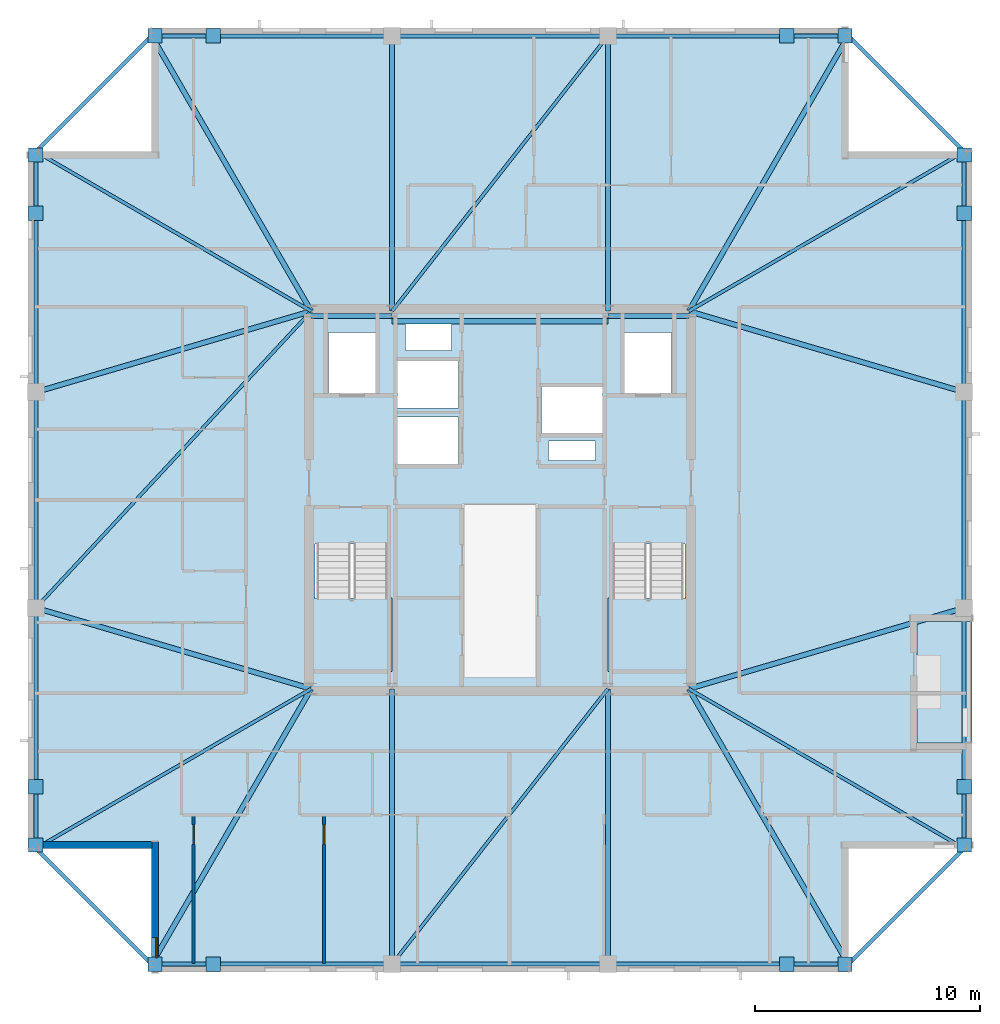
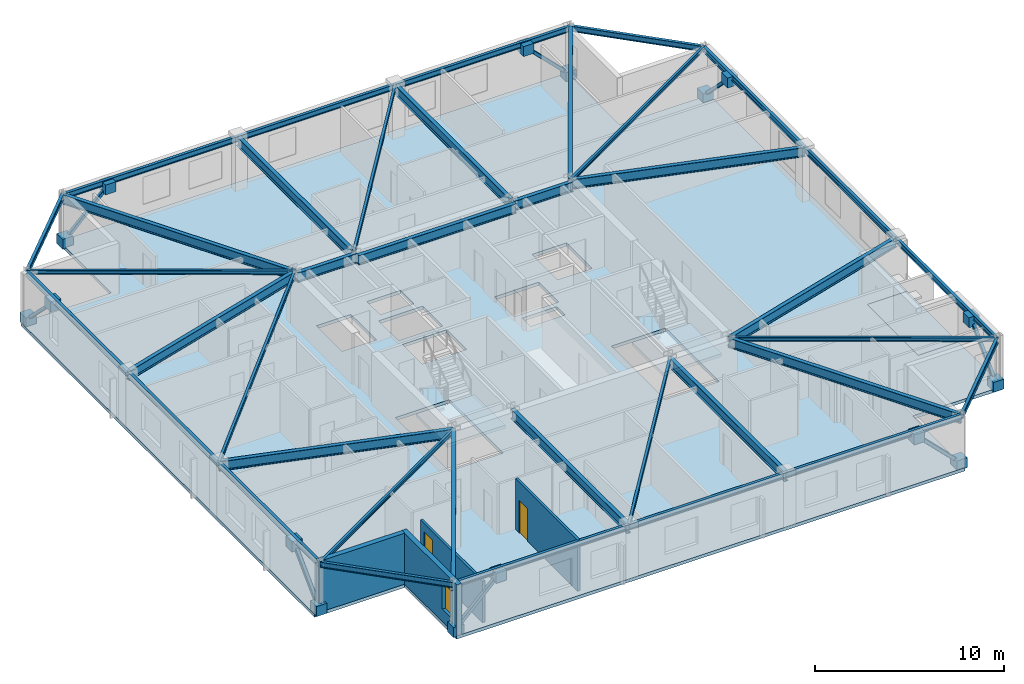
# One storey, part 6 of 15: 38 beams, 16 plates, 8 members, 4 slabs, 4 walls, 2 doors, 1 window, 3 openings, 2 elements without a shape of their own.
"""IFC4 building model written with IfcOpenShell, lengths in metres."""

from ifc_helpers import new_model, si_unit, direction, frame, frame_2d, origin, origin_2d, place, context, subcontext, project, spatial, polyline, rectangle, hollow_rectangle, i_section, outline, extrude, material, layer, layer_set, material_profile, profile_set, type_object, element, fill, aggregate, save


model = new_model("IFC4")

# Units and contexts
model_context = context("Model", 3, precision=1e-05, world=origin(), true_north=direction((0.0, 1.0)))
body_context = subcontext(model_context, "Body", "Model", "MODEL_VIEW")
ifc_project = project(units=[si_unit("LENGTHUNIT", "METRE"), si_unit("AREAUNIT", "SQUARE_METRE"), si_unit("VOLUMEUNIT", "CUBIC_METRE"), si_unit("PLANEANGLEUNIT", "RADIAN"), si_unit("MASSUNIT", "GRAM", prefix="KILO")], contexts=[model_context])

# Site, building, storey
site_placement = place(None, origin())
site = spatial("IfcSite", under=ifc_project, at=site_placement, CompositionType="ELEMENT")
building_placement = place(site_placement, origin())
building = spatial("IfcBuilding", under=site, at=building_placement, Name="Cairnveth Concourse Tower", CompositionType="ELEMENT")
storey_placement = place(building_placement, frame((0.0, 0.0, 298.0)))
storey = spatial("IfcBuildingStorey", under=building, at=storey_placement, Name="L82", CompositionType="ELEMENT", Elevation=298.0)

# Beams
ifc_material_1 = material(Name="Steel Grade 350", Category="steel")
ifc_material_profile_1 = material_profile(ifc_material_1, i_section(OverallWidth=0.22802734375, OverallDepth=0.60693359375, WebThickness=0.01123046875, FlangeThickness=0.017333984375, FilletRadius=0.013916015625, at=origin_2d()), Name="610UB113")
ifc_profile_set_1 = profile_set([ifc_material_profile_1], Name="Steel Grade 350")
beam_type_1 = type_object("IfcBeamType", Name="CORE TIE BEAM 610UB113", PredefinedType="T_BEAM", material=ifc_profile_set_1)
for number, where, z_axis, x_axis, name in (
    (1, (43.60009765625, 47.179931640625, 2.986572265625), (1.0, 0.0, 0.0), (0.0, 1.0, 0.0), "Beam CT-N1 L82"),
    (2, (56.800048828125, 47.179931640625, 2.986572265625), (1.0, 0.0, 0.0), (0.0, 1.0, 0.0), "Beam CT-N3 L82"),
):
    element("IfcBeam", number, at=place(storey_placement, frame(where, z_axis=z_axis, x_axis=x_axis)), inside=storey, type_object=beam_type_1, Name=name, PredefinedType="T_BEAM", context=body_context, shape_type="SweptSolid", body=[
        extrude(i_section(OverallWidth=0.22802734375, OverallDepth=0.60693359375, WebThickness=0.01123046875, FlangeThickness=0.017333984375, FilletRadius=0.013916015625, at=origin_2d()), origin(), (0.0, 0.0, 1.0), 3.599853515625),
    ])
beam_1_placement = place(storey_placement, frame((47.199951171875, 46.949951171875, 2.986572265625), z_axis=(1.0, 0.0, 0.0), x_axis=(0.0, 1.0, 0.0)))
element("IfcBeam", 3, at=beam_1_placement, inside=storey, type_object=beam_type_1, Name="Beam CT-N2 L82", PredefinedType="T_BEAM", context=body_context, shape_type="SweptSolid", body=[
    extrude(i_section(OverallWidth=0.22802734375, OverallDepth=0.60693359375, WebThickness=0.01123046875, FlangeThickness=0.017333984375, FilletRadius=0.013916015625, at=origin_2d()), origin(), (0.0, 0.0, 1.0), 9.60009765625),
])
ifc_material_profile_2 = material_profile(ifc_material_1, i_section(OverallWidth=0.14599609375, OverallDepth=0.256103515625, WebThickness=0.00634765625, FlangeThickness=0.010986328125, FilletRadius=0.009033203125, at=origin_2d()), Name="250UB37.3")
ifc_profile_set_2 = profile_set([ifc_material_profile_2], Name="Steel Grade 350")
beam_type_2 = type_object("IfcBeamType", Name="ZONE 4 FLOOR JOIST 250UB37.3", PredefinedType="JOIST", material=ifc_profile_set_2)
for number, where, z_axis, x_axis, name in (
    (4, (31.35009765625, 23.5, 3.162109375), (0.86518141842, 0.501458984584, 0.0), (-0.501458984584, 0.86518141842, 0.0), "Beam FJ-CSW2 L82"),
    (5, (72.64990234375, 23.5, 3.162109375), (-0.86518141842, 0.501458984584, 0.0), (-0.501458984584, -0.86518141842, 0.0), "Beam FJ-CSE2 L82"),
    (6, (72.64990234375, 54.5, 3.162109375), (-0.86518141842, -0.501458984584, 0.0), (0.501458984584, -0.86518141842, 0.0), "Beam FJ-CNE2 L82"),
    (7, (31.35009765625, 54.5, 3.162109375), (0.86518141842, -0.501458984584, 0.0), (0.501458984584, 0.86518141842, 0.0), "Beam FJ-CNW2 L82"),
):
    element("IfcBeam", number, at=place(storey_placement, frame(where, z_axis=z_axis, x_axis=x_axis)), inside=storey, type_object=beam_type_2, Name=name, PredefinedType="JOIST", context=body_context, shape_type="SweptSolid", body=[
        extrude(i_section(OverallWidth=0.14599609375, OverallDepth=0.256103515625, WebThickness=0.00634765625, FlangeThickness=0.010986328125, FilletRadius=0.009033203125, at=origin_2d()), origin(), (0.0, 0.0, 1.0), 14.158935546875),
    ])
for number, where, z_axis, x_axis, name in (
    (8, (47.199951171875, 18.35009765625, 3.162109375), (0.616831762718, 0.787095023807, 0.0), (-0.787095023807, 0.616831762718, 0.0), "Beam FJ-S-M1 L82"),
    (9, (47.199951171875, 47.39990234375, 3.162109375), (0.616831762718, 0.787095023807, 0.0), (-0.787095023807, 0.616831762718, 0.0), "Beam FJ-N-M1 L82"),
):
    element("IfcBeam", number, at=place(storey_placement, frame(where, z_axis=z_axis, x_axis=x_axis)), inside=storey, type_object=beam_type_2, Name=name, PredefinedType="JOIST", context=body_context, shape_type="SweptSolid", body=[
        extrude(i_section(OverallWidth=0.14599609375, OverallDepth=0.256103515625, WebThickness=0.00634765625, FlangeThickness=0.010986328125, FilletRadius=0.009033203125, at=origin_2d()), origin(), (0.0, 0.0, 1.0), 15.5634765625),
    ])
beam_2_placement = place(storey_placement, frame((31.35009765625, 34.199951171875, 3.162109375), z_axis=(0.680239432161, 0.732989982833, 0.0), x_axis=(-0.732989982833, 0.680239432161, 0.0)))
element("IfcBeam", 10, at=beam_2_placement, inside=storey, type_object=beam_type_2, Name="Beam FJ-W-M1 L82", PredefinedType="JOIST", context=body_context, shape_type="SweptSolid", body=[
    extrude(i_section(OverallWidth=0.14599609375, OverallDepth=0.256103515625, WebThickness=0.00634765625, FlangeThickness=0.010986328125, FilletRadius=0.009033203125, at=origin_2d()), origin(), (0.0, 0.0, 1.0), 18.00830078125),
])

# Members
ifc_material_2 = material(Name="Steel C350L0 (350 MPa)", Category="steel")
ifc_material_profile_3 = material_profile(ifc_material_2, hollow_rectangle(XDim=0.199951171875, YDim=0.199951171875, WallThickness=0.012451171875, InnerFilletRadius=0.012939453125, OuterFilletRadius=0.02490234375, at=origin_2d()), Name="200x200x12.5SHS")
ifc_profile_set_3 = profile_set([ifc_material_profile_3], Name="Steel C350L0 (350 MPa)")
member_type = type_object("IfcMemberType", Name="ZONE 4 PIER BRACE 200X200X12.5SHS", PredefinedType="BRACE", material=ifc_profile_set_3)
for number, where, z_axis, x_axis, name in (
    (11, (36.64990234375, 18.35009765625, 0.25), (0.708469186186, 0.0, 0.705741746126), (0.0, 1.0, 0.0), "Structural Brace PB-S1 L82"),
    (12, (67.35009765625, 18.35009765625, 0.25), (-0.708469186186, 0.0, 0.705741746126), (0.0, -1.0, 0.0), "Structural Brace PB-S2 L82"),
    (13, (36.64990234375, 59.64990234375, 0.25), (0.708469186186, 0.0, 0.705741746126), (0.0, 1.0, 0.0), "Structural Brace PB-N1 L82"),
    (14, (67.35009765625, 59.64990234375, 0.25), (-0.708469186186, 0.0, 0.705741746126), (0.0, -1.0, 0.0), "Structural Brace PB-N2 L82"),
    (15, (31.35009765625, 23.64990234375, 0.25), (0.0, 0.708469186186, 0.705741746126), (-1.0, 0.0, 0.0), "Structural Brace PB-W1 L82"),
    (16, (31.35009765625, 54.35009765625, 0.25), (0.0, -0.708469186186, 0.705741746126), (1.0, 0.0, 0.0), "Structural Brace PB-W2 L82"),
    (17, (72.64990234375, 23.64990234375, 0.25), (0.0, 0.708469186186, 0.705741746126), (-1.0, 0.0, 0.0), "Structural Brace PB-E1 L82"),
    (18, (72.64990234375, 54.35009765625, 0.25), (0.0, -0.708469186186, 0.705741746126), (1.0, 0.0, 0.0), "Structural Brace PB-E2 L82"),
):
    element("IfcMember", number, at=place(storey_placement, frame(where, z_axis=z_axis, x_axis=x_axis)), inside=storey, type_object=member_type, Name=name, PredefinedType="BRACE", context=body_context, shape_type="SweptSolid", body=[
        extrude(hollow_rectangle(XDim=0.199951171875, YDim=0.199951171875, WallThickness=0.012451171875, InnerFilletRadius=0.012939453125, OuterFilletRadius=0.02490234375, at=origin_2d()), origin(), (0.0, 0.0, 1.0), 3.669921875),
    ])

# Beams
ifc_material_profile_4 = material_profile(ifc_material_1, i_section(OverallWidth=0.22900390625, OverallDepth=0.612060546875, WebThickness=0.011962890625, FlangeThickness=0.01953125, FilletRadius=0.013916015625, at=origin_2d()), Name="610UB125")
ifc_profile_set_4 = profile_set([ifc_material_profile_4], Name="Steel Grade 350")
beam_type_3 = type_object("IfcBeamType", Name="ZONE 4 RADIAL GIRDER 610UB125", PredefinedType="BEAM", material=ifc_profile_set_4)
for number, where, z_axis, x_axis, name in (
    (19, (47.199951171875, 18.35009765625, 2.98388671875), (0.0, 1.0, 0.0), (-1.0, 0.0, 0.0), "Beam RG-S1 L82"),
    (20, (56.800048828125, 18.35009765625, 2.98388671875), (0.0, 1.0, 0.0), (-1.0, 0.0, 0.0), "Beam RG-S2 L82"),
    (21, (47.199951171875, 47.39990234375, 2.98388671875), (0.0, 1.0, 0.0), (-1.0, 0.0, 0.0), "Beam RG-N1 L82"),
    (22, (56.800048828125, 47.39990234375, 2.98388671875), (0.0, 1.0, 0.0), (-1.0, 0.0, 0.0), "Beam RG-N2 L82"),
):
    element("IfcBeam", number, at=place(storey_placement, frame(where, z_axis=z_axis, x_axis=x_axis)), inside=storey, type_object=beam_type_3, Name=name, PredefinedType="BEAM", context=body_context, shape_type="SweptSolid", body=[
        extrude(i_section(OverallWidth=0.22900390625, OverallDepth=0.612060546875, WebThickness=0.011962890625, FlangeThickness=0.01953125, FilletRadius=0.013916015625, at=origin_2d()), origin(), (0.0, 0.0, 1.0), 12.25),
    ])
for number, where, z_axis, x_axis, name in (
    (23, (31.35009765625, 34.199951171875, 2.98388671875), (0.959430938842, -0.281943741893, 0.0), (0.281943741893, 0.959430938842, 0.0), "Beam RG-W1 L82"),
    (24, (31.35009765625, 43.800048828125, 2.98388671875), (0.959430938842, 0.281943741893, 0.0), (-0.281943741893, 0.959430938842, 0.0), "Beam RG-W2 L82"),
    (25, (60.39990234375, 30.60009765625, 2.98388671875), (0.959430938842, 0.281943741893, 0.0), (-0.281943741893, 0.959430938842, 0.0), "Beam RG-E1 L82"),
    (26, (60.39990234375, 47.39990234375, 2.98388671875), (0.959430938842, -0.281943741893, 0.0), (0.281943741893, 0.959430938842, 0.0), "Beam RG-E2 L82"),
):
    element("IfcBeam", number, at=place(storey_placement, frame(where, z_axis=z_axis, x_axis=x_axis)), inside=storey, type_object=beam_type_3, Name=name, PredefinedType="BEAM", context=body_context, shape_type="SweptSolid", body=[
        extrude(i_section(OverallWidth=0.22900390625, OverallDepth=0.612060546875, WebThickness=0.011962890625, FlangeThickness=0.01953125, FilletRadius=0.013916015625, at=origin_2d()), origin(), (0.0, 0.0, 1.0), 12.76806640625),
    ])
for number, where, z_axis, x_axis, name in (
    (27, (36.5, 18.35009765625, 2.98388671875), (0.501458984584, 0.86518141842, 0.0), (-0.86518141842, 0.501458984584, 0.0), "Beam RG-CSW L82"),
    (28, (67.5, 18.35009765625, 2.98388671875), (-0.501458984584, 0.86518141842, 0.0), (-0.86518141842, -0.501458984584, 0.0), "Beam RG-CSE L82"),
    (29, (67.5, 59.64990234375, 2.98388671875), (-0.501458984584, -0.86518141842, 0.0), (0.86518141842, -0.501458984584, 0.0), "Beam RG-CNE L82"),
    (30, (36.5, 59.64990234375, 2.98388671875), (0.501458984584, -0.86518141842, 0.0), (0.86518141842, 0.501458984584, 0.0), "Beam RG-CNW L82"),
):
    element("IfcBeam", number, at=place(storey_placement, frame(where, z_axis=z_axis, x_axis=x_axis)), inside=storey, type_object=beam_type_3, Name=name, PredefinedType="BEAM", context=body_context, shape_type="SweptSolid", body=[
        extrude(i_section(OverallWidth=0.22900390625, OverallDepth=0.612060546875, WebThickness=0.011962890625, FlangeThickness=0.01953125, FilletRadius=0.013916015625, at=origin_2d()), origin(), (0.0, 0.0, 1.0), 14.158935546875),
    ])
ifc_material_profile_5 = material_profile(ifc_material_1, i_section(OverallWidth=0.172119140625, OverallDepth=0.35888671875, WebThickness=0.008056640625, FlangeThickness=0.012939453125, FilletRadius=0.010986328125, at=origin_2d()), Name="360UB56.7")
ifc_profile_set_5 = profile_set([ifc_material_profile_5], Name="Steel Grade 350")
beam_type_4 = type_object("IfcBeamType", Name="ZONE 4 SPANDREL BEAM 360UB56.7", PredefinedType="SPANDREL", material=ifc_profile_set_5)
beam_3_placement = place(storey_placement, frame((36.5, 18.35009765625, 3.110595703125), z_axis=(1.0, 0.0, 0.0), x_axis=(0.0, 1.0, 0.0)))
element("IfcBeam", 31, at=beam_3_placement, inside=storey, type_object=beam_type_4, Name="Beam SP-S1 L82", PredefinedType="SPANDREL", context=body_context, shape_type="SweptSolid", body=[
    extrude(i_section(OverallWidth=0.172119140625, OverallDepth=0.35888671875, WebThickness=0.008056640625, FlangeThickness=0.012939453125, FilletRadius=0.010986328125, at=origin_2d()), origin(), (0.0, 0.0, 1.0), 10.699951171875),
])
beam_4_placement = place(storey_placement, frame((47.199951171875, 18.35009765625, 3.110595703125), z_axis=(1.0, 0.0, 0.0), x_axis=(0.0, 1.0, 0.0)))
element("IfcBeam", 32, at=beam_4_placement, inside=storey, type_object=beam_type_4, Name="Beam SP-S2 L82", PredefinedType="SPANDREL", context=body_context, shape_type="SweptSolid", body=[
    extrude(i_section(OverallWidth=0.172119140625, OverallDepth=0.35888671875, WebThickness=0.008056640625, FlangeThickness=0.012939453125, FilletRadius=0.010986328125, at=origin_2d()), origin(), (0.0, 0.0, 1.0), 9.60009765625),
])
for number, where, z_axis, x_axis, name in (
    (33, (56.800048828125, 18.35009765625, 3.110595703125), (1.0, 0.0, 0.0), (0.0, 1.0, 0.0), "Beam SP-S3 L82"),
    (34, (36.5, 59.64990234375, 3.110595703125), (1.0, 0.0, 0.0), (0.0, 1.0, 0.0), "Beam SP-N1 L82"),
):
    element("IfcBeam", number, at=place(storey_placement, frame(where, z_axis=z_axis, x_axis=x_axis)), inside=storey, type_object=beam_type_4, Name=name, PredefinedType="SPANDREL", context=body_context, shape_type="SweptSolid", body=[
        extrude(i_section(OverallWidth=0.172119140625, OverallDepth=0.35888671875, WebThickness=0.008056640625, FlangeThickness=0.012939453125, FilletRadius=0.010986328125, at=origin_2d()), origin(), (0.0, 0.0, 1.0), 10.699951171875),
    ])
beam_5_placement = place(storey_placement, frame((47.199951171875, 59.64990234375, 3.110595703125), z_axis=(1.0, 0.0, 0.0), x_axis=(0.0, 1.0, 0.0)))
element("IfcBeam", 35, at=beam_5_placement, inside=storey, type_object=beam_type_4, Name="Beam SP-N2 L82", PredefinedType="SPANDREL", context=body_context, shape_type="SweptSolid", body=[
    extrude(i_section(OverallWidth=0.172119140625, OverallDepth=0.35888671875, WebThickness=0.008056640625, FlangeThickness=0.012939453125, FilletRadius=0.010986328125, at=origin_2d()), origin(), (0.0, 0.0, 1.0), 9.60009765625),
])
for number, where, z_axis, x_axis, name in (
    (36, (56.800048828125, 59.64990234375, 3.110595703125), (1.0, 0.0, 0.0), (0.0, 1.0, 0.0), "Beam SP-N3 L82"),
    (37, (31.35009765625, 23.5, 3.110595703125), (0.0, 1.0, 0.0), (-1.0, 0.0, 0.0), "Beam SP-W1 L82"),
):
    element("IfcBeam", number, at=place(storey_placement, frame(where, z_axis=z_axis, x_axis=x_axis)), inside=storey, type_object=beam_type_4, Name=name, PredefinedType="SPANDREL", context=body_context, shape_type="SweptSolid", body=[
        extrude(i_section(OverallWidth=0.172119140625, OverallDepth=0.35888671875, WebThickness=0.008056640625, FlangeThickness=0.012939453125, FilletRadius=0.010986328125, at=origin_2d()), origin(), (0.0, 0.0, 1.0), 10.699951171875),
    ])
beam_6_placement = place(storey_placement, frame((31.35009765625, 34.199951171875, 3.110595703125), z_axis=(0.0, 1.0, 0.0), x_axis=(-1.0, 0.0, 0.0)))
element("IfcBeam", 38, at=beam_6_placement, inside=storey, type_object=beam_type_4, Name="Beam SP-W2 L82", PredefinedType="SPANDREL", context=body_context, shape_type="SweptSolid", body=[
    extrude(i_section(OverallWidth=0.172119140625, OverallDepth=0.35888671875, WebThickness=0.008056640625, FlangeThickness=0.012939453125, FilletRadius=0.010986328125, at=origin_2d()), origin(), (0.0, 0.0, 1.0), 9.60009765625),
])
for number, where, z_axis, x_axis, name in (
    (39, (31.35009765625, 43.800048828125, 3.110595703125), (0.0, 1.0, 0.0), (-1.0, 0.0, 0.0), "Beam SP-W3 L82"),
    (40, (72.64990234375, 23.5, 3.110595703125), (0.0, 1.0, 0.0), (-1.0, 0.0, 0.0), "Beam SP-E1 L82"),
):
    element("IfcBeam", number, at=place(storey_placement, frame(where, z_axis=z_axis, x_axis=x_axis)), inside=storey, type_object=beam_type_4, Name=name, PredefinedType="SPANDREL", context=body_context, shape_type="SweptSolid", body=[
        extrude(i_section(OverallWidth=0.172119140625, OverallDepth=0.35888671875, WebThickness=0.008056640625, FlangeThickness=0.012939453125, FilletRadius=0.010986328125, at=origin_2d()), origin(), (0.0, 0.0, 1.0), 10.699951171875),
    ])
beam_7_placement = place(storey_placement, frame((72.64990234375, 34.199951171875, 3.110595703125), z_axis=(0.0, 1.0, 0.0), x_axis=(-1.0, 0.0, 0.0)))
element("IfcBeam", 41, at=beam_7_placement, inside=storey, type_object=beam_type_4, Name="Beam SP-E2 L82", PredefinedType="SPANDREL", context=body_context, shape_type="SweptSolid", body=[
    extrude(i_section(OverallWidth=0.172119140625, OverallDepth=0.35888671875, WebThickness=0.008056640625, FlangeThickness=0.012939453125, FilletRadius=0.010986328125, at=origin_2d()), origin(), (0.0, 0.0, 1.0), 9.60009765625),
])
beam_8_placement = place(storey_placement, frame((72.64990234375, 43.800048828125, 3.110595703125), z_axis=(0.0, 1.0, 0.0), x_axis=(-1.0, 0.0, 0.0)))
element("IfcBeam", 42, at=beam_8_placement, inside=storey, type_object=beam_type_4, Name="Beam SP-E3 L82", PredefinedType="SPANDREL", context=body_context, shape_type="SweptSolid", body=[
    extrude(i_section(OverallWidth=0.172119140625, OverallDepth=0.35888671875, WebThickness=0.008056640625, FlangeThickness=0.012939453125, FilletRadius=0.010986328125, at=origin_2d()), origin(), (0.0, 0.0, 1.0), 10.699951171875),
])
for number, where, z_axis, x_axis, name in (
    (43, (31.35009765625, 23.5, 3.110595703125), (0.707106781187, -0.707106781187, 0.0), (0.707106781187, 0.707106781187, 0.0), "Beam SP-SW L82"),
    (44, (67.5, 18.35009765625, 3.110595703125), (0.707106781187, 0.707106781187, 0.0), (-0.707106781187, 0.707106781187, 0.0), "Beam SP-SE L82"),
    (45, (67.5, 59.64990234375, 3.110595703125), (0.707106781187, -0.707106781187, 0.0), (0.707106781187, 0.707106781187, 0.0), "Beam SP-NE L82"),
    (46, (31.35009765625, 54.5, 3.110595703125), (0.707106781187, 0.707106781187, 0.0), (-0.707106781187, 0.707106781187, 0.0), "Beam SP-NW L82"),
):
    element("IfcBeam", number, at=place(storey_placement, frame(where, z_axis=z_axis, x_axis=x_axis)), inside=storey, type_object=beam_type_4, Name=name, PredefinedType="SPANDREL", context=body_context, shape_type="SweptSolid", body=[
        extrude(i_section(OverallWidth=0.172119140625, OverallDepth=0.35888671875, WebThickness=0.008056640625, FlangeThickness=0.012939453125, FilletRadius=0.010986328125, at=origin_2d()), origin(), (0.0, 0.0, 1.0), 7.282958984375),
    ])

# Plates
ifc_layer_1 = layer(ifc_material_1, 0.031982421875)
ifc_layer_set_1 = layer_set([ifc_layer_1], Name="Steel Grade 350")
plate_type = type_object("IfcPlateType", Name="PERIMETER BRACE GUSSET PLATE 32", PredefinedType="USERDEFINED", material=ifc_layer_set_1)
for number, where, z_axis, x_axis, name in (
    (47, (36.64990234375, 18.35009765625, -0.06982421875), (0.0, 0.0, 1.0), (1.0, 0.0, 0.0), "Structural Node Plate 1449 L82"),
    (48, (39.25, 18.35009765625, 2.52001953125), (0.0, 0.0, 1.0), (1.0, 0.0, 0.0), "Structural Node Plate 1450 L82"),
    (49, (67.35009765625, 18.35009765625, -0.06982421875), (0.0, 0.0, 1.0), (1.0, 0.0, 0.0), "Structural Node Plate 1451 L82"),
    (50, (64.75, 18.35009765625, 2.52001953125), (0.0, 0.0, 1.0), (1.0, 0.0, 0.0), "Structural Node Plate 1452 L82"),
    (51, (36.64990234375, 59.64990234375, -0.06982421875), (0.0, 0.0, 1.0), (1.0, 0.0, 0.0), "Structural Node Plate 1453 L82"),
    (52, (39.25, 59.64990234375, 2.52001953125), (0.0, 0.0, 1.0), (1.0, 0.0, 0.0), "Structural Node Plate 1454 L82"),
    (53, (67.35009765625, 59.64990234375, -0.06982421875), (0.0, 0.0, 1.0), (1.0, 0.0, 0.0), "Structural Node Plate 1455 L82"),
    (54, (64.75, 59.64990234375, 2.52001953125), (0.0, 0.0, 1.0), (1.0, 0.0, 0.0), "Structural Node Plate 1456 L82"),
    (55, (31.35009765625, 23.64990234375, -0.06982421875), (0.0, 0.0, 1.0), (1.0, 0.0, 0.0), "Structural Node Plate 1457 L82"),
    (56, (31.35009765625, 26.25, 2.52001953125), (0.0, 0.0, 1.0), (1.0, 0.0, 0.0), "Structural Node Plate 1458 L82"),
    (57, (31.35009765625, 54.35009765625, -0.06982421875), (0.0, 0.0, 1.0), (1.0, 0.0, 0.0), "Structural Node Plate 1459 L82"),
    (58, (31.35009765625, 51.75, 2.52001953125), (0.0, 0.0, 1.0), (1.0, 0.0, 0.0), "Structural Node Plate 1460 L82"),
    (59, (72.64990234375, 23.64990234375, -0.06982421875), (0.0, 0.0, 1.0), (1.0, 0.0, 0.0), "Structural Node Plate 1461 L82"),
    (60, (72.64990234375, 26.25, 2.52001953125), (0.0, 0.0, 1.0), (1.0, 0.0, 0.0), "Structural Node Plate 1462 L82"),
    (61, (72.64990234375, 54.35009765625, -0.06982421875), (0.0, 0.0, 1.0), (1.0, 0.0, 0.0), "Structural Node Plate 1463 L82"),
    (62, (72.64990234375, 51.75, 2.52001953125), (0.0, 0.0, 1.0), (1.0, 0.0, 0.0), "Structural Node Plate 1464 L82"),
):
    element("IfcPlate", number, at=place(storey_placement, frame(where, z_axis=z_axis, x_axis=x_axis)), inside=storey, type_object=plate_type, Name=name, ObjectType="GUSSET PLATE", PredefinedType="USERDEFINED", context=body_context, shape_type="SweptSolid", body=[
        extrude(rectangle(XDim=0.639892578125, YDim=0.639892578125, at=origin_2d()), origin(), (0.0, 0.0, 1.0), 0.639892578125),
    ])

# Slab
ifc_material_3 = material(Name="Concrete N50 (50 MPa)", Category="concrete")
ifc_layer_2 = layer(ifc_material_3, 0.18994140625)
ifc_layer_set_2 = layer_set([ifc_layer_2], Name="Concrete N50 (50 MPa)")
slab_type_1 = type_object("IfcSlabType", Name="SPIRAL OUTDOOR TERRACE SLAB 190", PredefinedType="FLOOR", material=ifc_layer_set_2)
slab_1_placement = place(storey_placement, frame((0.0, 0.0, -0.18994140625)))
element("IfcSlab", 63, at=slab_1_placement, inside=storey, type_object=slab_type_1, Name="Spiral Terrace Slab L82", PredefinedType="FLOOR", context=body_context, shape_type="SweptSolid", body=[
    extrude(outline(polyline([(70.550048828125, 28.199951171875), (73.0, 28.199951171875), (73.0, 33.60009765625), (70.550048828125, 33.60009765625), (70.550048828125, 28.199951171875)])), origin(), (0.0, 0.0, 1.0), 0.18994140625),
])

# Stair, slab
ifc_material_4 = material(Name="Precast concrete N50 (50 MPa)", Category="concrete")
stair_type = type_object("IfcStairType", Name="CORE DOG-LEG FIRE STAIR 1500", PredefinedType="HALF_TURN_STAIR", material=ifc_material_4)
stair_1_placement = place(storey_placement, origin())
stair_1 = element("IfcStair", 64, at=stair_1_placement, inside=storey, type_object=stair_type, Name="L82 Fire-Isolated Stair ST-1", PredefinedType="HALF_TURN_STAIR")
ifc_layer_3 = layer(ifc_material_3, 0.199951171875)
ifc_layer_set_3 = layer_set([ifc_layer_3], Name="Concrete N50 (50 MPa)")
slab_type_2 = type_object("IfcSlabType", Name="STAIR HALF LANDING SLAB 200", PredefinedType="LANDING", material=ifc_layer_set_3)
slab_2_placement = place(storey_placement, frame((0.0, 0.0, 1.550048828125)))
slab_2 = element("IfcSlab", 65, at=slab_2_placement, type_object=slab_type_2, Name="ST-1 landing 1", PredefinedType="LANDING", context=body_context, shape_type="SweptSolid", body=[
    extrude(outline(polyline([(43.6201171875, 34.639892578125), (43.6201171875, 31.3701171875), (47.199951171875, 31.3701171875), (47.199951171875, 34.639892578125), (43.6201171875, 34.639892578125)])), origin(), (0.0, 0.0, 1.0), 0.199951171875),
])
aggregate(stair_1, [slab_2])

stair_2_placement = place(storey_placement, origin())
stair_2 = element("IfcStair", 66, at=stair_2_placement, inside=storey, type_object=stair_type, Name="L82 Fire-Isolated Stair ST-2", PredefinedType="HALF_TURN_STAIR")
slab_3_placement = place(storey_placement, frame((0.0, 0.0, 1.550048828125)))
slab_3 = element("IfcSlab", 67, at=slab_3_placement, type_object=slab_type_2, Name="ST-2 landing 1", PredefinedType="LANDING", context=body_context, shape_type="SweptSolid", body=[
    extrude(outline(polyline([(56.800048828125, 34.639892578125), (56.800048828125, 31.3701171875), (60.3798828125, 31.3701171875), (60.3798828125, 34.639892578125), (56.800048828125, 34.639892578125)])), origin(), (0.0, 0.0, 1.0), 0.199951171875),
])
aggregate(stair_2, [slab_3])

# Slab
ifc_layer_4 = layer(ifc_material_3, 0.2099609375)
ifc_layer_set_4 = layer_set([ifc_layer_4], Name="Concrete N50 (50 MPa)")
slab_type_3 = type_object("IfcSlabType", Name="UPPER TOWER COMPOSITE SLAB 210", PredefinedType="FLOOR", material=ifc_layer_set_4)
slab_4_placement = place(storey_placement, frame((0.0, 0.0, -0.2099609375)))
element("IfcSlab", 68, at=slab_4_placement, inside=storey, type_object=slab_type_3, Name="Tower Floor Slab L82", PredefinedType="FLOOR", context=body_context, shape_type="SweptSolid", body=[
    extrude(outline(polyline([(73.0, 28.199951171875), (70.550048828125, 28.199951171875), (70.550048828125, 33.60009765625), (73.0, 33.60009765625), (73.0, 54.5), (67.5, 54.5), (67.5, 60.0), (36.5, 60.0), (36.5, 54.5), (31.0, 54.5), (31.0, 23.5), (36.5, 23.5), (36.5, 18.0), (67.5, 18.0), (67.5, 23.5), (73.0, 23.5), (73.0, 28.199951171875)]), holes=[polyline([(43.760009765625, 31.360107421875), (47.06005859375, 31.360107421875), (47.06005859375, 37.0400390625), (43.760009765625, 37.0400390625), (43.760009765625, 31.360107421875)]), polyline([(56.93994140625, 31.360107421875), (60.239990234375, 31.360107421875), (60.239990234375, 37.0400390625), (56.93994140625, 37.0400390625), (56.93994140625, 31.360107421875)]), polyline([(44.3701171875, 43.75), (46.469970703125, 43.75), (46.469970703125, 46.449951171875), (44.3701171875, 46.449951171875), (44.3701171875, 43.75)]), polyline([(57.530029296875, 43.75), (59.6298828125, 43.75), (59.6298828125, 46.449951171875), (57.530029296875, 46.449951171875), (57.530029296875, 43.75)]), polyline([(47.449951171875, 40.60009765625), (50.14990234375, 40.60009765625), (50.14990234375, 42.699951171875), (47.449951171875, 42.699951171875), (47.449951171875, 40.60009765625)]), polyline([(47.449951171875, 43.10009765625), (50.14990234375, 43.10009765625), (50.14990234375, 45.199951171875), (47.449951171875, 45.199951171875), (47.449951171875, 43.10009765625)]), polyline([(53.85009765625, 41.949951171875), (56.550048828125, 41.949951171875), (56.550048828125, 44.050048828125), (53.85009765625, 44.050048828125), (53.85009765625, 41.949951171875)]), polyline([(47.800048828125, 45.64990234375), (49.85009765625, 45.64990234375), (49.85009765625, 47.050048828125), (47.800048828125, 47.050048828125), (47.800048828125, 45.64990234375)]), polyline([(54.14990234375, 40.75), (56.25, 40.75), (56.25, 41.6201171875), (54.14990234375, 41.6201171875), (54.14990234375, 40.75)])]), origin(), (0.0, 0.0, 1.0), 0.2099609375),
])

# Wall, opening, door
ifc_material_5 = material(Name="Gypsum Plasterboard Partition", Category="gypsum")
ifc_layer_5 = layer(ifc_material_5, 0.139892578125)
ifc_layer_set_5 = layer_set([ifc_layer_5], Name="Gypsum Plasterboard Partition")
wall_type_1 = type_object("IfcWallType", Name="GYPSUM STUD PARTITION 140", PredefinedType="PARTITIONING", material=ifc_layer_set_5)
wall_1_placement = place(storey_placement, frame((38.3701171875, 18.3798828125, 0.0), z_axis=(0.0, 0.0, 1.0), x_axis=(0.0, 1.0, 0.0)))
wall_1 = element("IfcWall", 69, at=wall_1_placement, inside=storey, type_object=wall_type_1, Name="Interior Wall IW-L82-048", PredefinedType="PARTITIONING", context=body_context, shape_type="SweptSolid", body=[
    extrude(rectangle(XDim=6.5625, YDim=0.139892578125, at=frame_2d((3.28125, 0.0))), origin(), (0.0, 0.0, 1.0), 2.653076171875),
])
opening_1_placement = place(wall_1_placement, frame((5.302490234375, 0.0, 0.0)))
opening_1 = element("IfcOpeningElement", 70, at=opening_1_placement, cuts=wall_1, Name="Opening ID18", PredefinedType="OPENING", context=body_context, shape_type="SweptSolid", body=[
    extrude(rectangle(XDim=0.8798828125, YDim=2.10009765625, at=frame_2d((0.43994140625, 1.050048828125))), frame((0.0, 0.079833984375, 0.0), z_axis=(0.0, -1.0, 0.0), x_axis=(1.0, 0.0, 0.0)), (0.0, 0.0, 1.0), 0.159912109375),
])
ifc_material_6 = material(Name="Solid Core Hardwood Timber Leaf", Category="wood")
door_type = type_object("IfcDoorType", Name="INTERIOR SINGLE DOOR 880X2100", OperationType="NOTDEFINED", PredefinedType="DOOR", material=ifc_material_6)
door_1_placement = place(opening_1_placement, origin())
door_1 = element("IfcDoor", 71, at=door_1_placement, inside=storey, type_object=door_type, Name="L82PS1 Master Bedroom Door", OperationType="SINGLE_SWING_RIGHT", OverallHeight=2.10009765625, OverallWidth=0.8798828125, PredefinedType="DOOR", context=body_context, shape_type="SweptSolid", body=[
    extrude(rectangle(XDim=0.8798828125, YDim=2.10009765625, at=frame_2d((0.43994140625, 1.050048828125))), frame((0.0, 0.02490234375, 0.0), z_axis=(0.0, -1.0, 0.0), x_axis=(1.0, 0.0, 0.0)), (0.0, 0.0, 1.0), 0.050048828125),
])
fill(opening_1, door_1)

wall_2_placement = place(storey_placement, frame((44.169921875, 18.3798828125, 0.0), z_axis=(0.0, 0.0, 1.0), x_axis=(0.0, 1.0, 0.0)))
wall_2 = element("IfcWall", 72, at=wall_2_placement, inside=storey, type_object=wall_type_1, Name="Interior Wall IW-L82-051", PredefinedType="PARTITIONING", context=body_context, shape_type="SweptSolid", body=[
    extrude(rectangle(XDim=6.5625, YDim=0.139892578125, at=frame_2d((3.28125, 0.0))), origin(), (0.0, 0.0, 1.0), 3.2900390625),
])
opening_2_placement = place(wall_2_placement, frame((5.302490234375, 0.0, 0.0)))
opening_2 = element("IfcOpeningElement", 73, at=opening_2_placement, cuts=wall_2, Name="Opening ID18", PredefinedType="OPENING", context=body_context, shape_type="SweptSolid", body=[
    extrude(rectangle(XDim=0.8798828125, YDim=2.10009765625, at=frame_2d((0.43994140625, 1.050048828125))), frame((0.0, 0.079833984375, 0.0), z_axis=(0.0, -1.0, 0.0), x_axis=(1.0, 0.0, 0.0)), (0.0, 0.0, 1.0), 0.159912109375),
])
door_2_placement = place(opening_2_placement, origin())
door_2 = element("IfcDoor", 74, at=door_2_placement, inside=storey, type_object=door_type, Name="L82PS1 Media Lounge Door", OperationType="SINGLE_SWING_LEFT", OverallHeight=2.10009765625, OverallWidth=0.8798828125, PredefinedType="DOOR", context=body_context, shape_type="SweptSolid", body=[
    extrude(rectangle(XDim=0.8798828125, YDim=2.10009765625, at=frame_2d((0.43994140625, 1.050048828125))), frame((0.0, 0.02490234375, 0.0), z_axis=(0.0, -1.0, 0.0), x_axis=(1.0, 0.0, 0.0)), (0.0, 0.0, 1.0), 0.050048828125),
])
fill(opening_2, door_2)

# Wall, opening, window
ifc_material_7 = material(Name="Hawthorn Red-Ochre Fired Clay Brick Masonry", Category="masonry")
ifc_layer_6 = layer(ifc_material_7, 0.300048828125)
ifc_layer_set_6 = layer_set([ifc_layer_6], Name="Hawthorn Red-Ochre Fired Clay Brick Masonry")
wall_type_2 = type_object("IfcWallType", Name="ZONE 4 BRICK PIER SPANDREL WALL 300", PredefinedType="SOLIDWALL", material=ifc_layer_set_6)
wall_3_placement = place(storey_placement, frame((36.64990234375, 18.0, 0.0), z_axis=(0.0, 0.0, 1.0), x_axis=(0.0, 1.0, 0.0)))
wall_3 = element("IfcWall", 75, at=wall_3_placement, inside=storey, type_object=wall_type_2, Name="Exterior Wall EW-L82-S04", PredefinedType="SOLIDWALL", context=body_context, shape_type="SweptSolid", body=[
    extrude(rectangle(XDim=5.800048828125, YDim=0.300048828125, at=frame_2d((2.89990234375, 0.0))), origin(), (0.0, 0.0, 1.0), 3.2900390625),
])
opening_3_placement = place(wall_3_placement, frame((0.6298828125, 0.0, 0.800048828125)))
opening_3 = element("IfcOpeningElement", 76, at=opening_3_placement, cuts=wall_3, Name="Opening W13", PredefinedType="OPENING", context=body_context, shape_type="SweptSolid", body=[
    extrude(rectangle(XDim=0.89990234375, YDim=1.75, at=frame_2d((0.449951171875, 0.875))), frame((0.0, 0.159912109375, 0.0), z_axis=(0.0, -1.0, 0.0), x_axis=(1.0, 0.0, 0.0)), (0.0, 0.0, 1.0), 0.320068359375),
])
ifc_material_8 = material(Name="Double Glazed Low-E Clear Glass", Category="glass")
window_type = type_object("IfcWindowType", Name="DEEP-SET BEDROOM LANCET WINDOW 900X1750", PartitioningType="DOUBLE_PANEL_VERTICAL", PredefinedType="WINDOW", material=ifc_material_8)
window_placement = place(opening_3_placement, origin())
window = element("IfcWindow", 77, at=window_placement, inside=storey, type_object=window_type, Name="Dwelling Lancet Window L82-DW1", OverallHeight=1.75, OverallWidth=0.89990234375, PartitioningType="SINGLE_PANEL", PredefinedType="WINDOW", context=body_context, shape_type="SweptSolid", body=[
    extrude(rectangle(XDim=0.89990234375, YDim=1.75, at=frame_2d((0.449951171875, 0.875))), frame((0.0, -0.0400390625, 0.0), z_axis=(0.0, -1.0, 0.0), x_axis=(1.0, 0.0, 0.0)), (0.0, 0.0, 1.0), 0.06005859375),
])
fill(opening_3, window)

# Wall
wall_4_placement = place(storey_placement, frame((36.52197265625, 23.64990234375, 0.0), z_axis=(0.0, 0.0, 1.0), x_axis=(-1.0, 0.0, 0.0)))
element("IfcWall", 78, at=wall_4_placement, inside=storey, type_object=wall_type_2, Name="Exterior Wall EW-L82-S05", PredefinedType="SOLIDWALL", context=body_context, shape_type="SweptSolid", body=[
    extrude(rectangle(XDim=5.243896484375, YDim=0.300048828125, at=frame_2d((2.6220703125, 0.0))), origin(), (0.0, 0.0, 1.0), 3.2900390625),
])

save(model, "model.ifc")
